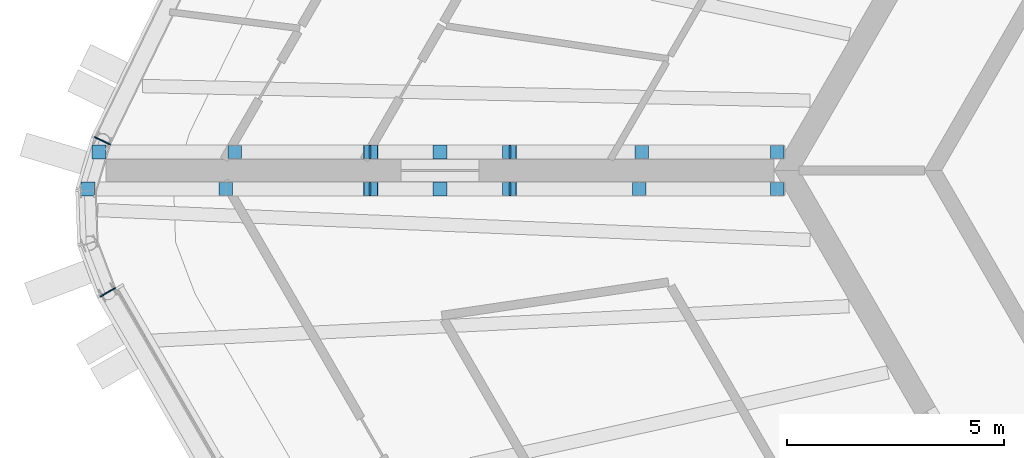
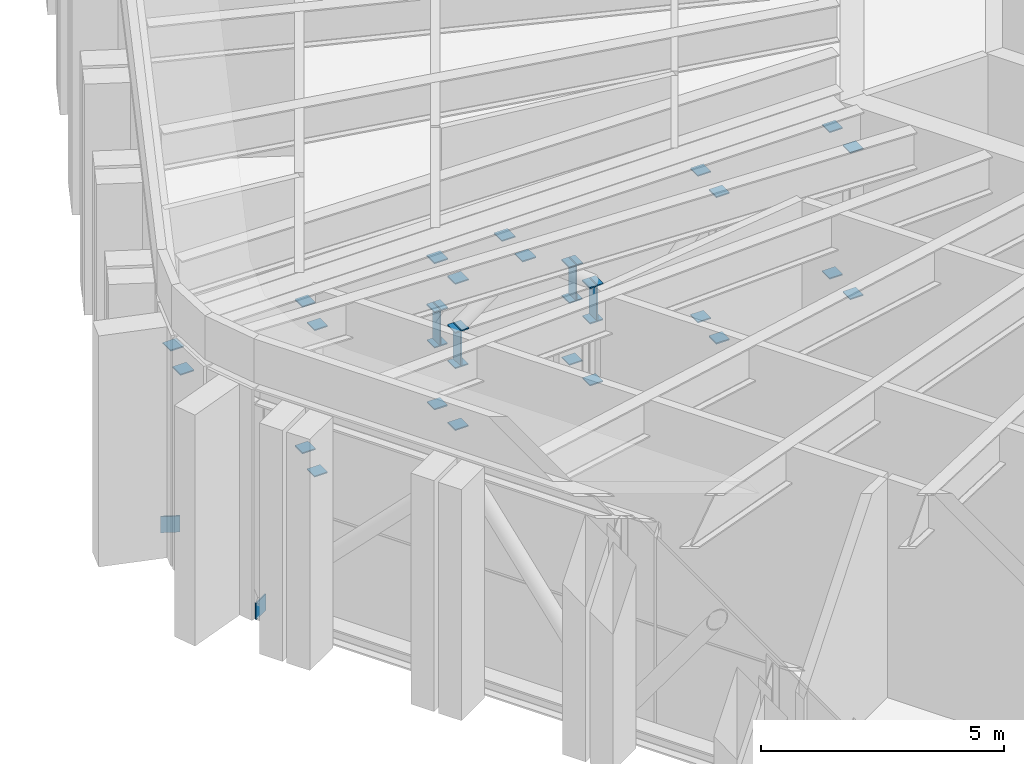
# One storey, part 17 of 24: 36 discrete accessories.
"""IFC4 building model written with IfcOpenShell, lengths in metres."""

from ifc_helpers import new_model, si_unit, direction, frame, origin, origin_2d, place, context, subcontext, project, spatial, rectangle, extrude, material, type_object, element, save


model = new_model("IFC4")

# Units and contexts
model_context = context("Model", 3, precision=1e-05, world=origin(), true_north=direction((0.0, 1.0)))
body_context = subcontext(model_context, "Body", "Model", "MODEL_VIEW")
ifc_project = project(units=[si_unit("LENGTHUNIT", "METRE"), si_unit("AREAUNIT", "SQUARE_METRE"), si_unit("VOLUMEUNIT", "CUBIC_METRE"), si_unit("PLANEANGLEUNIT", "RADIAN"), si_unit("MASSUNIT", "GRAM", prefix="KILO")], contexts=[model_context])

# Site, building, storey
site_placement = place(None, origin())
site = spatial("IfcSite", under=ifc_project, at=site_placement, CompositionType="ELEMENT")
building_placement = place(site_placement, origin())
building = spatial("IfcBuilding", under=site, at=building_placement, Name="Tarnside Tower", CompositionType="ELEMENT")
storey_placement = place(building_placement, frame((0.0, 0.0, 250.199951171875)))
storey = spatial("IfcBuildingStorey", under=building, at=storey_placement, Name="L60", CompositionType="ELEMENT", Elevation=250.199951171875)

# Discrete accessories
ifc_material = material(Name="Steel S355", Category="steel")
discrete_accessory_type_1 = type_object("IfcDiscreteAccessoryType", Name="Cast-in plate L60 belt truss chord end", PredefinedType="USERDEFINED", material=ifc_material)
for number, where, z_axis, x_axis, name in (
    (1, (-30.51318359375, 0.684326171875, -0.2998046875), (0.0, 0.0, 1.0), (-0.438371146789, -0.898794046299, 0.0), "Cast-in plate run L60 B"),
    (2, (-30.39111328125, -2.81103515625, -0.2998046875), (0.0, 0.0, 1.0), (0.5, -0.866025403784, 0.0), "Cast-in plate run L60 A"),
):
    element("IfcDiscreteAccessory", number, at=place(storey_placement, frame(where, z_axis=z_axis, x_axis=x_axis)), inside=storey, type_object=discrete_accessory_type_1, Name=name, ObjectType="Cast-in plate", PredefinedType="USERDEFINED", context=body_context, shape_type="SweptSolid", body=[
        extrude(rectangle(XDim=0.030029296875, YDim=0.403076171875, at=origin_2d()), origin(), (0.0, 0.0, 1.0), 0.406494140625),
    ])
discrete_accessory_type_2 = type_object("IfcDiscreteAccessoryType", Name="Gusset plate L60 outrigger end 308", PredefinedType="USERDEFINED", material=ifc_material)
for number, where, z_axis, x_axis, name in (
    (3, (-21.10791015625, -0.425537109375, 2.4501953125), (0.0, 0.0, 1.0), (1.0, 0.0, 0.0), "Gusset plate 35 L60"),
    (4, (-24.337890625, -0.425537109375, 2.4501953125), (0.0, 0.0, 1.0), (-1.0, 0.0, 0.0), "Gusset plate 36 L60"),
    (5, (-21.10791015625, 0.425537109375, 2.4501953125), (0.0, 0.0, 1.0), (1.0, 0.0, 0.0), "Gusset plate 52 L60"),
    (6, (-24.337890625, 0.425537109375, 2.4501953125), (0.0, 0.0, 1.0), (-1.0, 0.0, 0.0), "Gusset plate 53 L60"),
):
    element("IfcDiscreteAccessory", number, at=place(storey_placement, frame(where, z_axis=z_axis, x_axis=x_axis)), inside=storey, type_object=discrete_accessory_type_2, Name=name, ObjectType="Gusset plate", PredefinedType="USERDEFINED", context=body_context, shape_type="SweptSolid", body=[
        extrude(rectangle(XDim=0.030029296875, YDim=0.3076171875, at=origin_2d()), origin(), (0.0, 0.0, 1.0), 0.926513671875),
    ])
discrete_accessory_type_3 = type_object("IfcDiscreteAccessoryType", Name="Gusset plate L60 outrigger end 311", PredefinedType="USERDEFINED", material=ifc_material)
for number, where, z_axis, x_axis, name in (
    (7, (-14.94091796875, -0.425537109375, 0.896484375), (0.0, 0.0, 1.0), (1.0, 0.0, 0.0), "Gusset plate 37 L60"),
    (8, (-14.94091796875, -0.425537109375, 4.5732421875), (0.0, 0.0, 1.0), (1.0, 0.0, 0.0), "Gusset plate 38 L60"),
    (9, (-18.121826171875, -0.425537109375, 0.896484375), (0.0, 0.0, 1.0), (1.0, 0.0, 0.0), "Gusset plate 39 L60"),
    (10, (-18.121826171875, -0.425537109375, 4.5732421875), (0.0, 0.0, 1.0), (1.0, 0.0, 0.0), "Gusset plate 40 L60"),
    (11, (-21.123046875, -0.425537109375, 0.896484375), (0.0, 0.0, 1.0), (1.0, 0.0, 0.0), "Gusset plate 41 L60"),
    (12, (-21.123046875, -0.425537109375, 2.4501953125), (0.0, 0.0, 1.0), (1.0, 0.0, 0.0), "Gusset plate 42 L60"),
    (13, (-24.32275390625, -0.425537109375, 0.896484375), (0.0, 0.0, 1.0), (1.0, 0.0, 0.0), "Gusset plate 43 L60"),
    (14, (-24.32275390625, -0.425537109375, 2.4501953125), (0.0, 0.0, 1.0), (1.0, 0.0, 0.0), "Gusset plate 44 L60"),
    (15, (-27.66455078125, -0.425537109375, 0.896484375), (0.0, 0.0, 1.0), (1.0, 0.0, 0.0), "Gusset plate 45 L60"),
    (16, (-27.66455078125, -0.425537109375, 4.5732421875), (0.0, 0.0, 1.0), (1.0, 0.0, 0.0), "Gusset plate 46 L60"),
    (17, (-14.94091796875, 0.425537109375, 0.896484375), (0.0, 0.0, 1.0), (1.0, 0.0, 0.0), "Gusset plate 54 L60"),
    (18, (-14.94091796875, 0.425537109375, 4.5732421875), (0.0, 0.0, 1.0), (1.0, 0.0, 0.0), "Gusset plate 55 L60"),
    (19, (-18.07080078125, 0.425537109375, 0.896484375), (0.0, 0.0, 1.0), (1.0, 0.0, 0.0), "Gusset plate 56 L60"),
    (20, (-18.07080078125, 0.425537109375, 4.5732421875), (0.0, 0.0, 1.0), (1.0, 0.0, 0.0), "Gusset plate 57 L60"),
    (21, (-21.123046875, 0.425537109375, 0.896484375), (0.0, 0.0, 1.0), (1.0, 0.0, 0.0), "Gusset plate 58 L60"),
    (22, (-21.123046875, 0.425537109375, 2.4501953125), (0.0, 0.0, 1.0), (1.0, 0.0, 0.0), "Gusset plate 59 L60"),
    (23, (-24.32275390625, 0.425537109375, 0.896484375), (0.0, 0.0, 1.0), (1.0, 0.0, 0.0), "Gusset plate 60 L60"),
    (24, (-24.32275390625, 0.425537109375, 2.4501953125), (0.0, 0.0, 1.0), (1.0, 0.0, 0.0), "Gusset plate 61 L60"),
    (25, (-27.460693359375, 0.425537109375, 0.896484375), (0.0, 0.0, 1.0), (1.0, 0.0, 0.0), "Gusset plate 62 L60"),
    (26, (-27.460693359375, 0.425537109375, 4.5732421875), (0.0, 0.0, 1.0), (1.0, 0.0, 0.0), "Gusset plate 63 L60"),
):
    element("IfcDiscreteAccessory", number, at=place(storey_placement, frame(where, z_axis=z_axis, x_axis=x_axis)), inside=storey, type_object=discrete_accessory_type_3, Name=name, ObjectType="Gusset plate", PredefinedType="USERDEFINED", context=body_context, shape_type="SweptSolid", body=[
        extrude(rectangle(XDim=0.311279296875, YDim=0.311279296875, at=origin_2d()), origin(), (0.0, 0.0, 1.0), 0.030029296875),
    ])
discrete_accessory_type_4 = type_object("IfcDiscreteAccessoryType", Name="Gusset plate L60 outrigger end 324", PredefinedType="USERDEFINED", material=ifc_material)
for number, where, z_axis, x_axis, name in (
    (27, (-21.123046875, -0.425537109375, 3.3466796875), (0.0, 0.0, 1.0), (1.0, 0.0, 0.0), "Gusset plate 47 L60"),
    (28, (-22.722900390625, -0.425537109375, 4.5732421875), (0.0, 0.0, 1.0), (1.0, 0.0, 0.0), "Gusset plate 48 L60"),
    (29, (-24.32275390625, -0.425537109375, 3.3466796875), (0.0, 0.0, 1.0), (1.0, 0.0, 0.0), "Gusset plate 49 L60"),
    (30, (-24.32275390625, -0.425537109375, 4.5732421875), (0.0, 0.0, 1.0), (1.0, 0.0, 0.0), "Gusset plate 50 L60"),
    (31, (-30.845458984375, -0.425537109375, 4.5732421875), (0.0, 0.0, 1.0), (1.0, 0.0, 0.0), "Gusset plate 51 L60"),
    (32, (-21.123046875, 0.425537109375, 3.3466796875), (0.0, 0.0, 1.0), (1.0, 0.0, 0.0), "Gusset plate 64 L60"),
    (33, (-22.722900390625, 0.425537109375, 4.5732421875), (0.0, 0.0, 1.0), (1.0, 0.0, 0.0), "Gusset plate 65 L60"),
    (34, (-24.32275390625, 0.425537109375, 3.3466796875), (0.0, 0.0, 1.0), (1.0, 0.0, 0.0), "Gusset plate 66 L60"),
    (35, (-24.32275390625, 0.425537109375, 4.5732421875), (0.0, 0.0, 1.0), (1.0, 0.0, 0.0), "Gusset plate 67 L60"),
    (36, (-30.590576171875, 0.425537109375, 4.5732421875), (0.0, 0.0, 1.0), (1.0, 0.0, 0.0), "Gusset plate 68 L60"),
):
    element("IfcDiscreteAccessory", number, at=place(storey_placement, frame(where, z_axis=z_axis, x_axis=x_axis)), inside=storey, type_object=discrete_accessory_type_4, Name=name, ObjectType="Gusset plate", PredefinedType="USERDEFINED", context=body_context, shape_type="SweptSolid", body=[
        extrude(rectangle(XDim=0.323974609375, YDim=0.323974609375, at=origin_2d()), origin(), (0.0, 0.0, 1.0), 0.030029296875),
    ])

save(model, "model.ifc")
